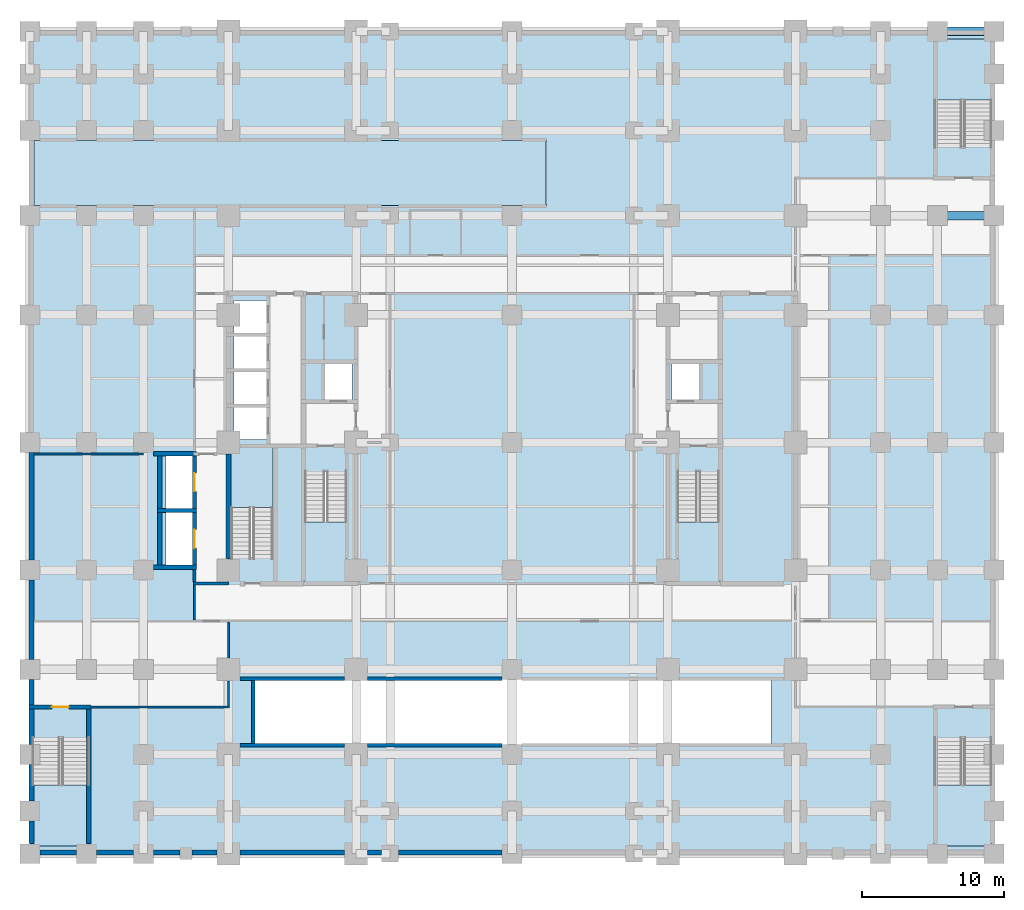
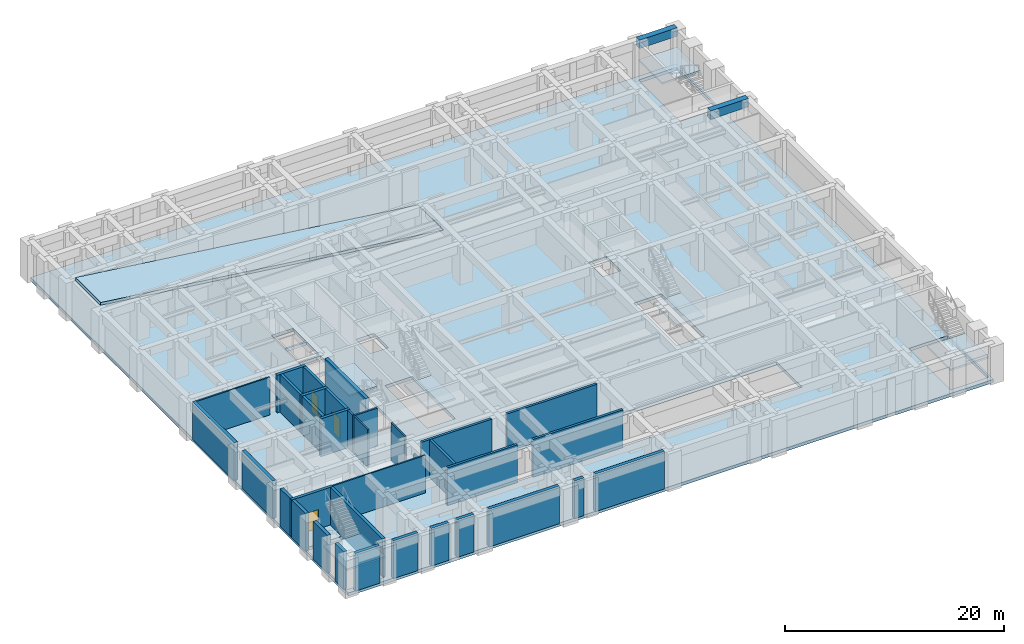
# One storey, part 4 of 14: 35 walls, 8 slabs, 3 doors, 2 beams, 3 openings, 6 elements without a shape of their own.
"""IFC4 building model written with IfcOpenShell, lengths in metres."""

from ifc_helpers import new_model, si_unit, direction, frame, frame_2d, origin, origin_2d, place, context, subcontext, project, spatial, polyline, rectangle, outline, extrude, material, layer, layer_set, material_profile, profile_set, type_object, element, fill, aggregate, save


model = new_model("IFC4")

# Units and contexts
model_context = context("Model", 3, precision=1e-05, world=origin(), true_north=direction((0.0, 1.0)))
body_context = subcontext(model_context, "Body", "Model", "MODEL_VIEW")
ifc_project = project(units=[si_unit("LENGTHUNIT", "METRE"), si_unit("AREAUNIT", "SQUARE_METRE"), si_unit("VOLUMEUNIT", "CUBIC_METRE"), si_unit("PLANEANGLEUNIT", "RADIAN"), si_unit("MASSUNIT", "GRAM", prefix="KILO")], contexts=[model_context])

# Site, building, storey
site_placement = place(None, origin())
site = spatial("IfcSite", under=ifc_project, at=site_placement, CompositionType="ELEMENT")
building_placement = place(site_placement, origin())
building = spatial("IfcBuilding", under=site, at=building_placement, Name="Zulmaris Gate Convention Tower", CompositionType="ELEMENT")
storey_placement = place(building_placement, frame((0.0, 0.0, -4.550048828125)))
storey = spatial("IfcBuildingStorey", under=building, at=storey_placement, Name="B1", CompositionType="ELEMENT", Elevation=-4.550048828125)

# Beams
ifc_material_1 = material(Name="Concrete C60/75", Category="concrete")
ifc_material_profile = material_profile(ifc_material_1, rectangle(XDim=0.60009765625, YDim=0.949951171875, at=origin_2d()), Name="RC BEAM 600x950")
ifc_profile_set = profile_set([ifc_material_profile], Name="Concrete C60/75")
beam_type = type_object("IfcBeamType", Name="BM-RC600x950", PredefinedType="BEAM", material=ifc_profile_set)
for number, where, z_axis, x_axis, name in (
    (1, (30.0, 16.0, 3.72509765625), (1.0, 0.0, 0.0), (0.0, 1.0, 0.0), "B1 Beam BM-B1-X-+16.0-+30.0"),
    (2, (30.0, 29.0, 3.72509765625), (1.0, 0.0, 0.0), (0.0, 1.0, 0.0), "B1 Beam BM-B1-X-+29.0-+30.0"),
):
    element("IfcBeam", number, at=place(storey_placement, frame(where, z_axis=z_axis, x_axis=x_axis)), inside=storey, type_object=beam_type, Name=name, PredefinedType="BEAM", context=body_context, shape_type="SweptSolid", body=[
        extrude(rectangle(XDim=0.60009765625, YDim=0.949951171875, at=origin_2d()), origin(), (0.0, 0.0, 1.0), 4.0),
    ])

# Slab
ifc_material_2 = material(Name="Concrete C50/60", Category="concrete")
ifc_layer_1 = layer(ifc_material_2, 0.35009765625, Name="Concrete C50/60")
ifc_layer_set_1 = layer_set([ifc_layer_1], Name="Concrete C50/60")
slab_type_1 = type_object("IfcSlabType", Name="SL-FLR-350", PredefinedType="FLOOR", material=ifc_layer_set_1)
slab_1_placement = place(storey_placement, frame((0.0, 0.0, -0.349853515625)))
element("IfcSlab", 3, at=slab_1_placement, inside=storey, type_object=slab_type_1, Name="B1 Suspended Car Park Slab", PredefinedType="FLOOR", context=body_context, shape_type="SweptSolid", body=[
    extrude(outline(polyline([(-34.0, -29.0), (34.0, -29.0), (34.0, 29.0), (-34.0, 29.0), (-34.0, -29.0)]), holes=[polyline([(-14.6201171875, -2.080078125), (-14.6201171875, -9.85009765625), (-11.659912109375, -9.85009765625), (-11.659912109375, -2.080078125), (-14.6201171875, -2.080078125)]), polyline([(11.659912109375, -2.080078125), (11.659912109375, -9.85009765625), (14.6201171875, -9.85009765625), (14.6201171875, -2.080078125), (11.659912109375, -2.080078125)]), polyline([(-16.860107421875, -8.1201171875), (-16.860107421875, -0.35009765625), (-19.820068359375, -0.35009765625), (-19.820068359375, -8.1201171875), (-16.860107421875, -8.1201171875)]), polyline([(-33.830078125, -20.8798828125), (-33.830078125, -28.449951171875), (-29.780029296875, -28.449951171875), (-29.780029296875, -20.8798828125), (-33.830078125, -20.8798828125)]), polyline([(33.830078125, 20.8798828125), (33.830078125, 28.449951171875), (29.780029296875, 28.449951171875), (29.780029296875, 20.8798828125), (33.830078125, 20.8798828125)]), polyline([(29.780029296875, -20.8798828125), (29.780029296875, -28.449951171875), (33.830078125, -28.449951171875), (33.830078125, -20.8798828125), (29.780029296875, -20.8798828125)]), polyline([(-13.199951171875, 3.0), (-11.300048828125, 3.0), (-11.300048828125, 5.60009765625), (-13.199951171875, 5.60009765625), (-13.199951171875, 3.0)]), polyline([(11.300048828125, 3.0), (13.199951171875, 3.0), (13.199951171875, 5.60009765625), (11.300048828125, 5.60009765625), (11.300048828125, 3.0)]), polyline([(-19.60009765625, 0.199951171875), (-17.300048828125, 0.199951171875), (-17.300048828125, 2.5), (-19.60009765625, 2.5), (-19.60009765625, 0.199951171875)]), polyline([(-19.60009765625, 2.699951171875), (-17.300048828125, 2.699951171875), (-17.300048828125, 5.0), (-19.60009765625, 5.0), (-19.60009765625, 2.699951171875)]), polyline([(-19.60009765625, 5.199951171875), (-17.300048828125, 5.199951171875), (-17.300048828125, 7.5), (-19.60009765625, 7.5), (-19.60009765625, 5.199951171875)]), polyline([(-19.60009765625, 7.699951171875), (-17.300048828125, 7.699951171875), (-17.300048828125, 10.0), (-19.60009765625, 10.0), (-19.60009765625, 7.699951171875)]), polyline([(-24.39990234375, -8.64990234375), (-22.550048828125, -8.64990234375), (-22.550048828125, -4.949951171875), (-24.39990234375, -4.949951171875), (-24.39990234375, -8.64990234375)]), polyline([(-24.39990234375, -4.64990234375), (-22.550048828125, -4.64990234375), (-22.550048828125, -0.949951171875), (-24.39990234375, -0.949951171875), (-24.39990234375, -4.64990234375)]), polyline([(-18.199951171875, -21.320068359375), (18.260009765625, -21.320068359375), (18.260009765625, -16.679931640625), (-18.199951171875, -16.679931640625), (-18.199951171875, -21.320068359375)]), polyline([(-0.1201171875, 16.679931640625), (2.419921875, 16.679931640625), (2.419921875, 21.320068359375), (-0.1201171875, 21.320068359375), (-0.1201171875, 16.679931640625)])]), origin(), (0.0, 0.0, 1.0), 0.349853515625),
])

# Stair, slab
ifc_material_3 = material(Name="Concrete C45/55", Category="concrete")
stair_type_1 = type_object("IfcStairType", Name="ST-CORE-DOGLEG", PredefinedType="HALF_TURN_STAIR", material=ifc_material_3)
stair_1_placement = place(storey_placement, origin())
stair_1 = element("IfcStair", 4, at=stair_1_placement, inside=storey, type_object=stair_type_1, Name="B1 Core Exit Stair ST-1", PredefinedType="HALF_TURN_STAIR")
ifc_layer_2 = layer(ifc_material_3, 0.199951171875, Name="Concrete C45/55")
ifc_layer_set_2 = layer_set([ifc_layer_2], Name="Concrete C45/55")
slab_type_2 = type_object("IfcSlabType", Name="SL-LND-200", PredefinedType="LANDING", material=ifc_layer_set_2)
slab_2_placement = place(storey_placement, frame((0.0, 0.0, 2.074951171875)))
slab_2 = element("IfcSlab", 5, at=slab_2_placement, type_object=slab_type_2, Name="ST-1 landing 1", PredefinedType="LANDING", context=body_context, shape_type="SweptSolid", body=[
    extrude(outline(polyline([(-14.6201171875, -5.60009765625), (-14.6201171875, -9.85009765625), (-11.659912109375, -9.85009765625), (-11.659912109375, -5.60009765625), (-14.6201171875, -5.60009765625)])), origin(), (0.0, 0.0, 1.0), 0.2001953125),
])
aggregate(stair_1, [slab_2])

stair_2_placement = place(storey_placement, origin())
stair_2 = element("IfcStair", 6, at=stair_2_placement, inside=storey, type_object=stair_type_1, Name="B1 Core Exit Stair ST-2", PredefinedType="HALF_TURN_STAIR")
slab_3_placement = place(storey_placement, frame((0.0, 0.0, 2.074951171875)))
slab_3 = element("IfcSlab", 7, at=slab_3_placement, type_object=slab_type_2, Name="ST-2 landing 1", PredefinedType="LANDING", context=body_context, shape_type="SweptSolid", body=[
    extrude(outline(polyline([(11.659912109375, -5.60009765625), (11.659912109375, -9.85009765625), (14.6201171875, -9.85009765625), (14.6201171875, -5.60009765625), (11.659912109375, -5.60009765625)])), origin(), (0.0, 0.0, 1.0), 0.2001953125),
])
aggregate(stair_2, [slab_3])

stair_3_placement = place(storey_placement, origin())
stair_3 = element("IfcStair", 8, at=stair_3_placement, inside=storey, type_object=stair_type_1, Name="B1 Core Exit Stair ST-3", PredefinedType="HALF_TURN_STAIR")
slab_4_placement = place(storey_placement, frame((0.0, 0.0, 2.074951171875)))
slab_4 = element("IfcSlab", 9, at=slab_4_placement, type_object=slab_type_2, Name="ST-3 landing 1", PredefinedType="LANDING", context=body_context, shape_type="SweptSolid", body=[
    extrude(outline(polyline([(-16.860107421875, -4.60009765625), (-16.860107421875, -0.35009765625), (-19.820068359375, -0.35009765625), (-19.820068359375, -4.60009765625), (-16.860107421875, -4.60009765625)])), origin(), (0.0, 0.0, 1.0), 0.2001953125),
])
aggregate(stair_3, [slab_4])

stair_type_2 = type_object("IfcStairType", Name="ST-POD-DOGLEG", PredefinedType="HALF_TURN_STAIR", material=ifc_material_3)
stair_4_placement = place(storey_placement, origin())
stair_4 = element("IfcStair", 10, at=stair_4_placement, inside=storey, type_object=stair_type_2, Name="B1 Podium Exit Stair ST-4", PredefinedType="HALF_TURN_STAIR")
slab_5_placement = place(storey_placement, frame((0.0, 0.0, 2.074951171875)))
slab_5 = element("IfcSlab", 11, at=slab_5_placement, type_object=slab_type_2, Name="ST-4 landing 1", PredefinedType="LANDING", context=body_context, shape_type="SweptSolid", body=[
    extrude(outline(polyline([(-33.830078125, -24.159912109375), (-33.830078125, -28.449951171875), (-29.780029296875, -28.449951171875), (-29.780029296875, -24.159912109375), (-33.830078125, -24.159912109375)])), origin(), (0.0, 0.0, 1.0), 0.2001953125),
])
aggregate(stair_4, [slab_5])

stair_5_placement = place(storey_placement, origin())
stair_5 = element("IfcStair", 12, at=stair_5_placement, inside=storey, type_object=stair_type_2, Name="B1 Podium Exit Stair ST-5", PredefinedType="HALF_TURN_STAIR")
slab_6_placement = place(storey_placement, frame((0.0, 0.0, 2.074951171875)))
slab_6 = element("IfcSlab", 13, at=slab_6_placement, type_object=slab_type_2, Name="ST-5 landing 1", PredefinedType="LANDING", context=body_context, shape_type="SweptSolid", body=[
    extrude(outline(polyline([(33.830078125, 24.159912109375), (33.830078125, 28.449951171875), (29.780029296875, 28.449951171875), (29.780029296875, 24.159912109375), (33.830078125, 24.159912109375)])), origin(), (0.0, 0.0, 1.0), 0.2001953125),
])
aggregate(stair_5, [slab_6])

stair_6_placement = place(storey_placement, origin())
stair_6 = element("IfcStair", 14, at=stair_6_placement, inside=storey, type_object=stair_type_2, Name="B1 Podium Exit Stair ST-6", PredefinedType="HALF_TURN_STAIR")
slab_7_placement = place(storey_placement, frame((0.0, 0.0, 2.074951171875)))
slab_7 = element("IfcSlab", 15, at=slab_7_placement, type_object=slab_type_2, Name="ST-6 landing 1", PredefinedType="LANDING", context=body_context, shape_type="SweptSolid", body=[
    extrude(outline(polyline([(29.780029296875, -24.159912109375), (29.780029296875, -28.449951171875), (33.830078125, -28.449951171875), (33.830078125, -24.159912109375), (29.780029296875, -24.159912109375)])), origin(), (0.0, 0.0, 1.0), 0.2001953125),
])
aggregate(stair_6, [slab_7])

# Slab
ifc_layer_3 = layer(ifc_material_2, 0.300048828125, Name="Concrete C50/60")
ifc_layer_set_3 = layer_set([ifc_layer_3], Name="Concrete C50/60")
slab_type_3 = type_object("IfcSlabType", Name="SL-RMP-VEH-300", PredefinedType="FLOOR", material=ifc_layer_set_3)
slab_8_placement = place(storey_placement, frame((2.39990234375, 16.699951171875, 0.0), z_axis=(0.125051261655, 0.0, 0.992150281943), x_axis=(-0.992150281943, 0.0, 0.125051261655)))
element("IfcSlab", 16, at=slab_8_placement, inside=storey, type_object=slab_type_3, Name="Car Park Vehicle Ramp Slab R1 Upper", PredefinedType="FLOOR", context=body_context, shape_type="SweptSolid", body=[
    extrude(outline(polyline([(0.0, 0.0), (36.38546919015755, 0.0), (36.38546919015755, -4.600097656249999), (0.0, -4.600097656249999), (0.0, 0.0)])), origin(), (0.0, 0.0, -1.0), 0.300048828125),
])

# Walls
ifc_layer_4 = layer(ifc_material_2, 0.25, Name="Concrete C50/60")
ifc_layer_set_4 = layer_set([ifc_layer_4], Name="Concrete C50/60")
wall_type_1 = type_object("IfcWallType", Name="CORE-250", PredefinedType="SOLIDWALL", material=ifc_layer_set_4)
wall_1_placement = place(storey_placement, frame((-19.196044921875, -21.35009765625, 0.0), z_axis=(0.0, 0.0, 1.0), x_axis=(1.0, 0.0, 0.0)))
element("IfcWall", 17, at=wall_1_placement, inside=storey, type_object=wall_type_1, Name="WL-B1-002", PredefinedType="SOLIDWALL", context=body_context, shape_type="SweptSolid", body=[
    extrude(rectangle(XDim=7.39208984375, YDim=0.25, at=frame_2d((3.696044921875, 0.0))), origin(), (0.0, 0.0, 1.0), 4.199951171875),
])
wall_2_placement = place(storey_placement, frame((-10.196044921875, -21.35009765625, 0.0), z_axis=(0.0, 0.0, 1.0), x_axis=(1.0, 0.0, 0.0)))
element("IfcWall", 18, at=wall_2_placement, inside=storey, type_object=wall_type_1, Name="WL-B1-002S1", PredefinedType="SOLIDWALL", context=body_context, shape_type="SweptSolid", body=[
    extrude(rectangle(XDim=9.491943359375, YDim=0.25, at=frame_2d((4.74609375, 0.0))), origin(), (0.0, 0.0, 1.0), 4.199951171875),
])
wall_3_placement = place(storey_placement, frame((-19.196044921875, -16.64990234375, 0.0), z_axis=(0.0, 0.0, 1.0), x_axis=(1.0, 0.0, 0.0)))
element("IfcWall", 19, at=wall_3_placement, inside=storey, type_object=wall_type_1, Name="WL-B1-005", PredefinedType="SOLIDWALL", context=body_context, shape_type="SweptSolid", body=[
    extrude(rectangle(XDim=7.39208984375, YDim=0.25, at=frame_2d((3.696044921875, 0.0))), origin(), (0.0, 0.0, 1.0), 4.199951171875),
])
wall_4_placement = place(storey_placement, frame((-10.196044921875, -16.64990234375, 0.0), z_axis=(0.0, 0.0, 1.0), x_axis=(1.0, 0.0, 0.0)))
element("IfcWall", 20, at=wall_4_placement, inside=storey, type_object=wall_type_1, Name="WL-B1-005S1", PredefinedType="SOLIDWALL", context=body_context, shape_type="SweptSolid", body=[
    extrude(rectangle(XDim=9.491943359375, YDim=0.25, at=frame_2d((4.74609375, 0.0))), origin(), (0.0, 0.0, 1.0), 4.199951171875),
])
wall_5_placement = place(storey_placement, frame((-18.25, -21.222900390625, 0.0), z_axis=(0.0, 0.0, 1.0), x_axis=(0.0, 1.0, 0.0)))
element("IfcWall", 21, at=wall_5_placement, inside=storey, type_object=wall_type_1, Name="WL-B1-058", PredefinedType="SOLIDWALL", context=body_context, shape_type="SweptSolid", body=[
    extrude(rectangle(XDim=4.44580078125, YDim=0.25, at=frame_2d((2.222900390625, 0.0))), origin(), (0.0, 0.0, 1.0), 4.199951171875),
])

# Wall, opening, door
ifc_layer_5 = layer(ifc_material_2, 0.300048828125, Name="Concrete C50/60")
ifc_layer_set_5 = layer_set([ifc_layer_5], Name="Concrete C50/60")
wall_type_2 = type_object("IfcWallType", Name="CORE-300", PredefinedType="SHEAR", material=ifc_layer_set_5)
wall_6_placement = place(storey_placement, frame((-34.074951171875, -18.64990234375, 0.0), z_axis=(0.0, 0.0, 1.0), x_axis=(1.0, 0.0, 0.0)))
wall_6 = element("IfcWall", 22, at=wall_6_placement, inside=storey, type_object=wall_type_2, Name="WL-B1-003", PredefinedType="SHEAR", context=body_context, shape_type="SweptSolid", body=[
    extrude(rectangle(XDim=4.375, YDim=0.300048828125, at=frame_2d((2.1875, 0.0))), origin(), (0.0, 0.0, 1.0), 4.199951171875),
])
opening_1_placement = place(wall_6_placement, frame((1.625, 0.0, 0.0)))
opening_1 = element("IfcOpeningElement", 23, at=opening_1_placement, cuts=wall_6, Name="Opening D-13", PredefinedType="OPENING", context=body_context, shape_type="SweptSolid", body=[
    extrude(rectangle(XDim=1.199951171875, YDim=2.14990234375, at=frame_2d((0.60009765625, 1.074951171875))), frame((0.0, 0.16015625, 0.0), z_axis=(0.0, -1.0, 0.0), x_axis=(1.0, 0.0, 0.0)), (0.0, 0.0, 1.0), 0.320068359375),
])
ifc_material_4 = material(Name="Fire-Rated Steel", Category="steel")
door_type_1 = type_object("IfcDoorType", Name="DR-1200-FD", OperationType="NOTDEFINED", PredefinedType="DOOR", material=ifc_material_4)
door_1_placement = place(opening_1_placement, origin())
door_1 = element("IfcDoor", 24, at=door_1_placement, inside=storey, type_object=door_type_1, Name="B1 Exit Stair ST-4 Door 20", OperationType="SINGLE_SWING_RIGHT", OverallHeight=2.14990234375, OverallWidth=1.199951171875, PredefinedType="DOOR", context=body_context, shape_type="SweptSolid", body=[
    extrude(rectangle(XDim=1.199951171875, YDim=2.14990234375, at=frame_2d((0.60009765625, 1.074951171875))), frame((0.0, 0.02490234375, 0.0), z_axis=(0.0, -1.0, 0.0), x_axis=(1.0, 0.0, 0.0)), (0.0, 0.0, 1.0), 0.050048828125),
])
fill(opening_1, door_1)

# Walls
wall_7_placement = place(storey_placement, frame((-25.2958984375, -8.800048828125, 0.0), z_axis=(0.0, 0.0, 1.0), x_axis=(1.0, 0.0, 0.0)))
element("IfcWall", 25, at=wall_7_placement, inside=storey, type_object=wall_type_2, Name="WL-B1-010", PredefinedType="SHEAR", context=body_context, shape_type="SweptSolid", body=[
    extrude(rectangle(XDim=3.0458984375, YDim=0.300048828125, at=frame_2d((1.52294921875, 0.0))), origin(), (0.0, 0.0, 1.0), 4.199951171875),
])
wall_8_placement = place(storey_placement, frame((-25.0, -4.800048828125, 0.0), z_axis=(0.0, 0.0, 1.0), x_axis=(1.0, 0.0, 0.0)))
element("IfcWall", 26, at=wall_8_placement, inside=storey, type_object=wall_type_2, Name="WL-B1-011", PredefinedType="SHEAR", context=body_context, shape_type="SweptSolid", body=[
    extrude(rectangle(XDim=2.75, YDim=0.300048828125, at=frame_2d((1.375, 0.0))), origin(), (0.0, 0.0, 1.0), 4.199951171875),
])
wall_9_placement = place(storey_placement, frame((-25.2958984375, -0.800048828125, 0.0), z_axis=(0.0, 0.0, 1.0), x_axis=(1.0, 0.0, 0.0)))
element("IfcWall", 27, at=wall_9_placement, inside=storey, type_object=wall_type_2, Name="WL-B1-012", PredefinedType="SHEAR", context=body_context, shape_type="SweptSolid", body=[
    extrude(rectangle(XDim=3.0458984375, YDim=0.300048828125, at=frame_2d((1.52294921875, 0.0))), origin(), (0.0, 0.0, 1.0), 4.199951171875),
])
wall_10_placement = place(storey_placement, frame((-29.85009765625, -28.2958984375, 0.0), z_axis=(0.0, 0.0, 1.0), x_axis=(0.0, 1.0, 0.0)))
element("IfcWall", 28, at=wall_10_placement, inside=storey, type_object=wall_type_2, Name="WL-B1-048", PredefinedType="SHEAR", context=body_context, shape_type="SweptSolid", body=[
    extrude(rectangle(XDim=9.493896484375, YDim=0.300048828125, at=frame_2d((4.7470703125, 0.0))), origin(), (0.0, 0.0, 1.0), 4.199951171875),
])
for number, where, z_axis, x_axis, name in (
    (29, (-24.85009765625, -8.64794921875, 0.0), (0.0, 0.0, 1.0), (0.0, 1.0, 0.0), "WL-B1-049"),
    (30, (-24.85009765625, -4.64794921875, 0.0), (0.0, 0.0, 1.0), (0.0, 1.0, 0.0), "WL-B1-050"),
):
    element("IfcWall", number, at=place(storey_placement, frame(where, z_axis=z_axis, x_axis=x_axis)), inside=storey, type_object=wall_type_2, Name=name, PredefinedType="SHEAR", context=body_context, shape_type="SweptSolid", body=[
        extrude(rectangle(XDim=3.696044921875, YDim=0.300048828125, at=frame_2d((1.84814453125, 0.0))), origin(), (0.0, 0.0, 1.0), 4.199951171875),
    ])

# Wall, opening, door
wall_11_placement = place(storey_placement, frame((-22.39990234375, -8.64794921875, 0.0), z_axis=(0.0, 0.0, 1.0), x_axis=(0.0, 1.0, 0.0)))
wall_11 = element("IfcWall", 31, at=wall_11_placement, inside=storey, type_object=wall_type_2, Name="WL-B1-051", PredefinedType="SHEAR", context=body_context, shape_type="SweptSolid", body=[
    extrude(rectangle(XDim=3.696044921875, YDim=0.300048828125, at=frame_2d((1.84814453125, 0.0))), origin(), (0.0, 0.0, 1.0), 4.199951171875),
])
opening_2_placement = place(wall_11_placement, frame((1.197998046875, 0.0, 0.0)))
opening_2 = element("IfcOpeningElement", 32, at=opening_2_placement, cuts=wall_11, Name="Opening D-07", PredefinedType="OPENING", context=body_context, shape_type="SweptSolid", body=[
    extrude(rectangle(XDim=1.300048828125, YDim=2.300048828125, at=frame_2d((0.64990234375, 1.14990234375))), frame((0.0, 0.16015625, 0.0), z_axis=(0.0, -1.0, 0.0), x_axis=(1.0, 0.0, 0.0)), (0.0, 0.0, 1.0), 0.320068359375),
])
ifc_material_5 = material(Name="Heavy-Duty Brushed Stainless Steel", Category="steel")
door_type_2 = type_object("IfcDoorType", Name="LD-1300", OperationType="NOTDEFINED", PredefinedType="DOOR", material=ifc_material_5)
door_2_placement = place(opening_2_placement, origin())
door_2 = element("IfcDoor", 33, at=door_2_placement, inside=storey, type_object=door_type_2, Name="B1 Goods Lift Door GL-01 17", OperationType="SLIDING_TO_LEFT", OverallHeight=2.300048828125, OverallWidth=1.300048828125, PredefinedType="DOOR", context=body_context, shape_type="SweptSolid", body=[
    extrude(rectangle(XDim=1.300048828125, YDim=2.300048828125, at=frame_2d((0.64990234375, 1.14990234375))), frame((0.0, 0.02490234375, 0.0), z_axis=(0.0, -1.0, 0.0), x_axis=(1.0, 0.0, 0.0)), (0.0, 0.0, 1.0), 0.050048828125),
])
fill(opening_2, door_2)

wall_12_placement = place(storey_placement, frame((-22.39990234375, -4.64794921875, 0.0), z_axis=(0.0, 0.0, 1.0), x_axis=(0.0, 1.0, 0.0)))
wall_12 = element("IfcWall", 34, at=wall_12_placement, inside=storey, type_object=wall_type_2, Name="WL-B1-052", PredefinedType="SHEAR", context=body_context, shape_type="SweptSolid", body=[
    extrude(rectangle(XDim=3.696044921875, YDim=0.300048828125, at=frame_2d((1.84814453125, 0.0))), origin(), (0.0, 0.0, 1.0), 4.199951171875),
])
opening_3_placement = place(wall_12_placement, frame((1.197998046875, 0.0, 0.0)))
opening_3 = element("IfcOpeningElement", 35, at=opening_3_placement, cuts=wall_12, Name="Opening D-07", PredefinedType="OPENING", context=body_context, shape_type="SweptSolid", body=[
    extrude(rectangle(XDim=1.300048828125, YDim=2.300048828125, at=frame_2d((0.64990234375, 1.14990234375))), frame((0.0, 0.16015625, 0.0), z_axis=(0.0, -1.0, 0.0), x_axis=(1.0, 0.0, 0.0)), (0.0, 0.0, 1.0), 0.320068359375),
])
door_3_placement = place(opening_3_placement, origin())
door_3 = element("IfcDoor", 36, at=door_3_placement, inside=storey, type_object=door_type_2, Name="B1 Goods Lift Door GL-02 18", OperationType="SLIDING_TO_LEFT", OverallHeight=2.300048828125, OverallWidth=1.300048828125, PredefinedType="DOOR", context=body_context, shape_type="SweptSolid", body=[
    extrude(rectangle(XDim=1.300048828125, YDim=2.300048828125, at=frame_2d((0.64990234375, 1.14990234375))), frame((0.0, 0.02490234375, 0.0), z_axis=(0.0, -1.0, 0.0), x_axis=(1.0, 0.0, 0.0)), (0.0, 0.0, 1.0), 0.050048828125),
])
fill(opening_3, door_3)

# Walls
ifc_material_6 = material(Name="Concrete C55/67", Category="concrete")
ifc_layer_6 = layer(ifc_material_6, 0.35009765625, Name="Concrete C55/67")
ifc_layer_set_6 = layer_set([ifc_layer_6], Name="Concrete C55/67")
wall_type_3 = type_object("IfcWallType", Name="CORE-350", PredefinedType="SHEAR", material=ifc_layer_set_6)
for number, where, z_axis, x_axis, name in (
    (37, (-33.2958984375, -28.89990234375, 0.0), (0.0, 0.0, 1.0), (1.0, 0.0, 0.0), "WL-B1-001"),
    (38, (-29.2958984375, -28.89990234375, 0.0), (0.0, 0.0, 1.0), (1.0, 0.0, 0.0), "WL-B1-001S1"),
):
    element("IfcWall", number, at=place(storey_placement, frame(where, z_axis=z_axis, x_axis=x_axis)), inside=storey, type_object=wall_type_3, Name=name, PredefinedType="SHEAR", context=body_context, shape_type="SweptSolid", body=[
        extrude(rectangle(XDim=2.591796875, YDim=0.35009765625, at=frame_2d((1.2958984375, 0.0))), origin(), (0.0, 0.0, 1.0), 4.199951171875),
    ])
wall_13_placement = place(storey_placement, frame((-25.2958984375, -28.89990234375, 0.0), z_axis=(0.0, 0.0, 1.0), x_axis=(1.0, 0.0, 0.0)))
element("IfcWall", 39, at=wall_13_placement, inside=storey, type_object=wall_type_3, Name="WL-B1-001S2", PredefinedType="SHEAR", context=body_context, shape_type="SweptSolid", body=[
    extrude(rectangle(XDim=1.866943359375, YDim=0.35009765625, at=frame_2d((0.93359375, 0.0))), origin(), (0.0, 0.0, 1.0), 4.199951171875),
])
wall_14_placement = place(storey_placement, frame((-22.571044921875, -28.89990234375, 0.0), z_axis=(0.0, 0.0, 1.0), x_axis=(1.0, 0.0, 0.0)))
element("IfcWall", 40, at=wall_14_placement, inside=storey, type_object=wall_type_3, Name="WL-B1-001S3", PredefinedType="SHEAR", context=body_context, shape_type="SweptSolid", body=[
    extrude(rectangle(XDim=1.76708984375, YDim=0.35009765625, at=frame_2d((0.883544921875, 0.0))), origin(), (0.0, 0.0, 1.0), 4.199951171875),
])
wall_15_placement = place(storey_placement, frame((-19.196044921875, -28.89990234375, 0.0), z_axis=(0.0, 0.0, 1.0), x_axis=(1.0, 0.0, 0.0)))
element("IfcWall", 41, at=wall_15_placement, inside=storey, type_object=wall_type_3, Name="WL-B1-001S4", PredefinedType="SHEAR", context=body_context, shape_type="SweptSolid", body=[
    extrude(rectangle(XDim=7.39208984375, YDim=0.35009765625, at=frame_2d((3.696044921875, 0.0))), origin(), (0.0, 0.0, 1.0), 4.199951171875),
])
wall_16_placement = place(storey_placement, frame((-10.196044921875, -28.89990234375, 0.0), z_axis=(0.0, 0.0, 1.0), x_axis=(1.0, 0.0, 0.0)))
element("IfcWall", 42, at=wall_16_placement, inside=storey, type_object=wall_type_3, Name="WL-B1-001S5", PredefinedType="SHEAR", context=body_context, shape_type="SweptSolid", body=[
    extrude(rectangle(XDim=0.991943359375, YDim=0.35009765625, at=frame_2d((0.49609375, 0.0))), origin(), (0.0, 0.0, 1.0), 4.199951171875),
])
wall_17_placement = place(storey_placement, frame((-7.99609375, -28.89990234375, 0.0), z_axis=(0.0, 0.0, 1.0), x_axis=(1.0, 0.0, 0.0)))
element("IfcWall", 43, at=wall_17_placement, inside=storey, type_object=wall_type_3, Name="WL-B1-001S6", PredefinedType="SHEAR", context=body_context, shape_type="SweptSolid", body=[
    extrude(rectangle(XDim=7.2919921875, YDim=0.35009765625, at=frame_2d((3.64599609375, 0.0))), origin(), (0.0, 0.0, 1.0), 4.199951171875),
])
wall_18_placement = place(storey_placement, frame((-33.89990234375, -28.2958984375, 0.0), z_axis=(0.0, 0.0, 1.0), x_axis=(0.0, 1.0, 0.0)))
element("IfcWall", 44, at=wall_18_placement, inside=storey, type_object=wall_type_3, Name="WL-B1-044", PredefinedType="SHEAR", context=body_context, shape_type="SweptSolid", body=[
    extrude(rectangle(XDim=1.591796875, YDim=0.35009765625, at=frame_2d((0.7958984375, 0.0))), origin(), (0.0, 0.0, 1.0), 4.199951171875),
])
wall_19_placement = place(storey_placement, frame((-33.89990234375, -25.2958984375, 0.0), z_axis=(0.0, 0.0, 1.0), x_axis=(0.0, 1.0, 0.0)))
element("IfcWall", 45, at=wall_19_placement, inside=storey, type_object=wall_type_3, Name="WL-B1-044S1", PredefinedType="SHEAR", context=body_context, shape_type="SweptSolid", body=[
    extrude(rectangle(XDim=2.591796875, YDim=0.35009765625, at=frame_2d((1.2958984375, 0.0))), origin(), (0.0, 0.0, 1.0), 4.199951171875),
])
wall_20_placement = place(storey_placement, frame((-33.89990234375, -21.2958984375, 0.0), z_axis=(0.0, 0.0, 1.0), x_axis=(0.0, 1.0, 0.0)))
element("IfcWall", 46, at=wall_20_placement, inside=storey, type_object=wall_type_3, Name="WL-B1-044S2", PredefinedType="SHEAR", context=body_context, shape_type="SweptSolid", body=[
    extrude(rectangle(XDim=2.493896484375, YDim=0.35009765625, at=frame_2d((1.2470703125, 0.0))), origin(), (0.0, 0.0, 1.0), 4.199951171875),
])
wall_21_placement = place(storey_placement, frame((-33.89990234375, -18.498046875, 0.0), z_axis=(0.0, 0.0, 1.0), x_axis=(0.0, 1.0, 0.0)))
element("IfcWall", 47, at=wall_21_placement, inside=storey, type_object=wall_type_3, Name="WL-B1-045", PredefinedType="SHEAR", context=body_context, shape_type="SweptSolid", body=[
    extrude(rectangle(XDim=1.7939453125, YDim=0.35009765625, at=frame_2d((0.89697265625, 0.0))), origin(), (0.0, 0.0, 1.0), 4.199951171875),
])
wall_22_placement = place(storey_placement, frame((-33.89990234375, -15.2958984375, 0.0), z_axis=(0.0, 0.0, 1.0), x_axis=(0.0, 1.0, 0.0)))
element("IfcWall", 48, at=wall_22_placement, inside=storey, type_object=wall_type_3, Name="WL-B1-045S1", PredefinedType="SHEAR", context=body_context, shape_type="SweptSolid", body=[
    extrude(rectangle(XDim=5.591796875, YDim=0.35009765625, at=frame_2d((2.7958984375, 0.0))), origin(), (0.0, 0.0, 1.0), 4.199951171875),
])
wall_23_placement = place(storey_placement, frame((-33.89990234375, -8.2958984375, 0.0), z_axis=(0.0, 0.0, 1.0), x_axis=(0.0, 1.0, 0.0)))
element("IfcWall", 49, at=wall_23_placement, inside=storey, type_object=wall_type_3, Name="WL-B1-045S2", PredefinedType="SHEAR", context=body_context, shape_type="SweptSolid", body=[
    extrude(rectangle(XDim=7.591796875, YDim=0.35009765625, at=frame_2d((3.7958984375, 0.0))), origin(), (0.0, 0.0, 1.0), 4.199951171875),
])
wall_24_placement = place(storey_placement, frame((-20.0, -8.196044921875, 0.0), z_axis=(0.0, 0.0, 1.0), x_axis=(0.0, 1.0, 0.0)))
element("IfcWall", 50, at=wall_24_placement, inside=storey, type_object=wall_type_3, Name="WL-B1-053", PredefinedType="SHEAR", context=body_context, shape_type="SweptSolid", body=[
    extrude(rectangle(XDim=7.39208984375, YDim=0.35009765625, at=frame_2d((3.696044921875, 0.0))), origin(), (0.0, 0.0, 1.0), 4.199951171875),
])
ifc_material_7 = material(Name="Gypsum Metal Stud Partition")
ifc_layer_7 = layer(ifc_material_7, 0.14990234375, Name="Gypsum Metal Stud Partition")
ifc_layer_set_7 = layer_set([ifc_layer_7], Name="Gypsum Metal Stud Partition")
wall_type_4 = type_object("IfcWallType", Name="PART-150", PredefinedType="PARTITIONING", material=ifc_layer_set_7)
wall_25_placement = place(storey_placement, frame((-29.85009765625, -18.64990234375, 0.0), z_axis=(0.0, 0.0, 1.0), x_axis=(1.0, 0.0, 0.0)))
element("IfcWall", 51, at=wall_25_placement, inside=storey, type_object=wall_type_4, Name="WL-B1-030", PredefinedType="PARTITIONING", context=body_context, shape_type="SweptSolid", body=[
    extrude(rectangle(XDim=9.925048828125, YDim=0.14990234375, at=frame_2d((4.96240234375, 0.0))), origin(), (0.0, 0.0, 1.0), 4.199951171875),
])
wall_26_placement = place(storey_placement, frame((-33.721923828125, -0.800048828125, 0.0), z_axis=(0.0, 0.0, 1.0), x_axis=(1.0, 0.0, 0.0)))
element("IfcWall", 52, at=wall_26_placement, inside=storey, type_object=wall_type_4, Name="WL-B1-035", PredefinedType="PARTITIONING", context=body_context, shape_type="SweptSolid", body=[
    extrude(rectangle(XDim=7.721923828125, YDim=0.14990234375, at=frame_2d((3.86083984375, 0.0))), origin(), (0.0, 0.0, 1.0), 4.199951171875),
])
wall_27_placement = place(storey_placement, frame((-22.39990234375, -12.52197265625, 0.0), z_axis=(0.0, 0.0, 1.0), x_axis=(0.0, 1.0, 0.0)))
element("IfcWall", 53, at=wall_27_placement, inside=storey, type_object=wall_type_4, Name="WL-B1-090", PredefinedType="PARTITIONING", context=body_context, shape_type="SweptSolid", body=[
    extrude(rectangle(XDim=2.468994140625, YDim=0.14990234375, at=frame_2d((1.234375, 0.0))), origin(), (0.0, 0.0, 1.0), 4.199951171875),
])
wall_28_placement = place(storey_placement, frame((-20.0, -18.572021484375, 0.0), z_axis=(0.0, 0.0, 1.0), x_axis=(0.0, 1.0, 0.0)))
element("IfcWall", 54, at=wall_28_placement, inside=storey, type_object=wall_type_4, Name="WL-B1-095", PredefinedType="PARTITIONING", context=body_context, shape_type="SweptSolid", body=[
    extrude(rectangle(XDim=1.76611328125, YDim=0.14990234375, at=frame_2d((0.883056640625, 0.0))), origin(), (0.0, 0.0, 1.0), 3.241943359375),
])
wall_29_placement = place(storey_placement, frame((-20.0, -15.194091796875, 0.0), z_axis=(0.0, 0.0, 1.0), x_axis=(0.0, 1.0, 0.0)))
element("IfcWall", 55, at=wall_29_placement, inside=storey, type_object=wall_type_4, Name="WL-B1-096", PredefinedType="PARTITIONING", context=body_context, shape_type="SweptSolid", body=[
    extrude(rectangle(XDim=2.51611328125, YDim=0.14990234375, at=frame_2d((1.258056640625, 0.0))), origin(), (0.0, 0.0, 1.0), 4.199951171875),
])
ifc_material_8 = material(Name="Autoclaved Aerated Concrete Block and Plasterboard", Category="concrete")
ifc_layer_8 = layer(ifc_material_8, 0.199951171875, Name="Autoclaved Aerated Concrete Block and Plasterboard")
ifc_layer_set_8 = layer_set([ifc_layer_8], Name="Autoclaved Aerated Concrete Block and Plasterboard")
wall_type_5 = type_object("IfcWallType", Name="PART-200", PredefinedType="PARTITIONING", material=ifc_layer_set_8)
wall_30_placement = place(storey_placement, frame((-22.47509765625, -9.949951171875, 0.0), z_axis=(0.0, 0.0, 1.0), x_axis=(1.0, 0.0, 0.0)))
element("IfcWall", 56, at=wall_30_placement, inside=storey, type_object=wall_type_5, Name="WL-B1-033", PredefinedType="PARTITIONING", context=body_context, shape_type="SweptSolid", body=[
    extrude(rectangle(XDim=2.47509765625, YDim=0.199951171875, at=frame_2d((1.237548828125, 0.0))), origin(), (0.0, 0.0, 1.0), 4.199951171875),
])
wall_31_placement = place(storey_placement, frame((-22.39990234375, -9.846923828125, 0.0), z_axis=(0.0, 0.0, 1.0), x_axis=(0.0, 1.0, 0.0)))
element("IfcWall", 57, at=wall_31_placement, inside=storey, type_object=wall_type_5, Name="WL-B1-091", PredefinedType="PARTITIONING", context=body_context, shape_type="SweptSolid", body=[
    extrude(rectangle(XDim=0.89404296875, YDim=0.199951171875, at=frame_2d((0.447021484375, 0.0))), origin(), (0.0, 0.0, 1.0), 4.199951171875),
])

save(model, "model.ifc")
